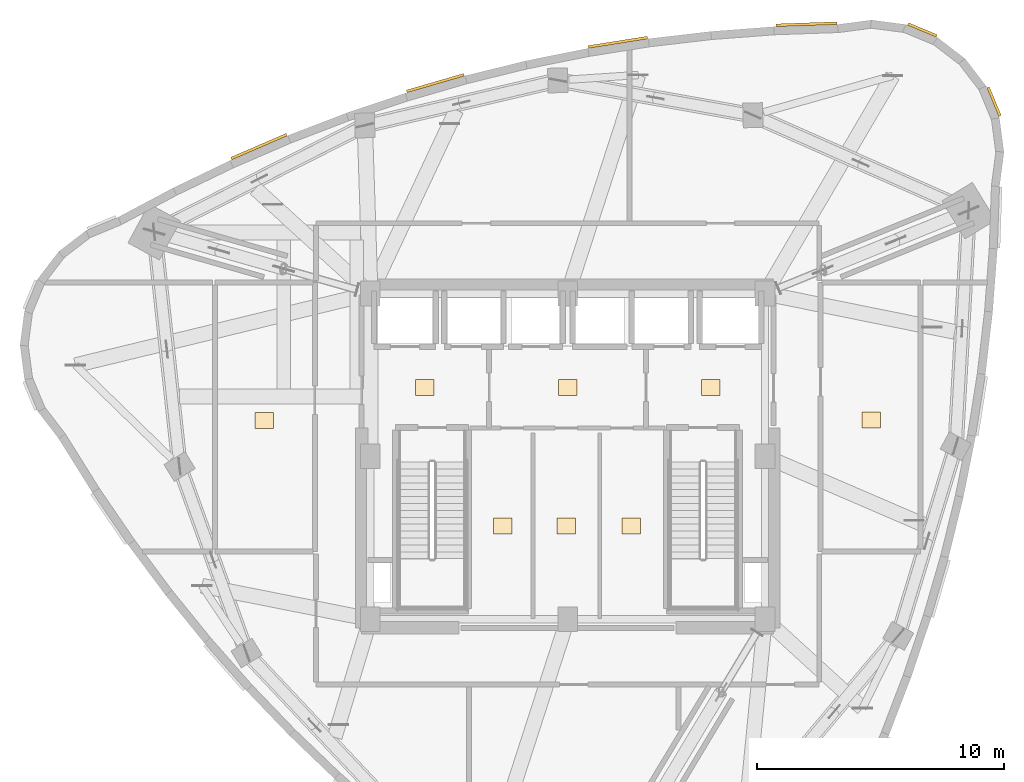
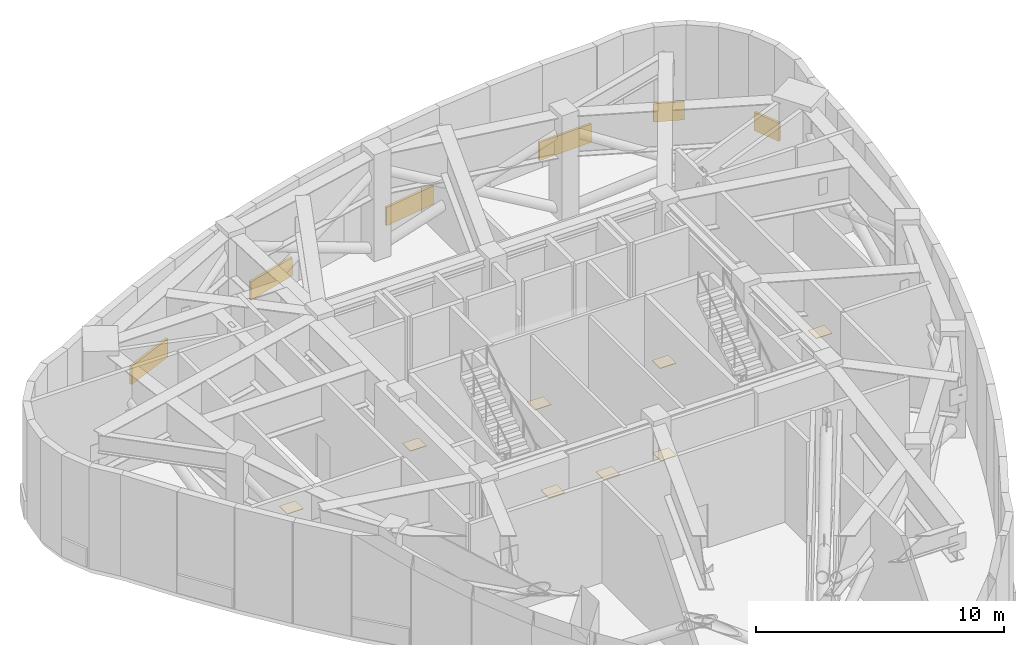
# One storey, part 10 of 10: 14 coverings.
"""IFC4 building model written with IfcOpenShell, lengths in metres."""

from ifc_helpers import new_model, si_unit, direction, frame, origin, origin_2d, place, context, subcontext, project, spatial, rectangle, extrude, material, layer, layer_set, type_object, element, save


model = new_model("IFC4")

# Units and contexts
model_context = context("Model", 3, precision=1e-05, world=origin(), true_north=direction((0.0, 1.0)))
body_context = subcontext(model_context, "Body", "Model", "MODEL_VIEW")
ifc_project = project(units=[si_unit("LENGTHUNIT", "METRE"), si_unit("AREAUNIT", "SQUARE_METRE"), si_unit("VOLUMEUNIT", "CUBIC_METRE"), si_unit("PLANEANGLEUNIT", "RADIAN"), si_unit("MASSUNIT", "GRAM", prefix="KILO")], contexts=[model_context])

# Site, building, storey
site_placement = place(None, origin())
site = spatial("IfcSite", under=ifc_project, at=site_placement, CompositionType="ELEMENT")
building_placement = place(site_placement, origin())
building = spatial("IfcBuilding", under=site, at=building_placement, Name="Ndelora Gate Hotel", CompositionType="ELEMENT")
storey_placement = place(building_placement, frame((0.0, 0.0, 254.949951171875)))
storey = spatial("IfcBuildingStorey", under=building, at=storey_placement, Name="L64", CompositionType="ELEMENT", Elevation=254.949951171875)

# Coverings
ifc_material_1 = material(Name="Terracotta Fired Clay Brick Slip Cladding", Category="masonry")
ifc_layer_1 = layer(ifc_material_1, 0.110107421875)
ifc_layer_set_1 = layer_set([ifc_layer_1], Name="Terracotta Fired Clay Brick Slip Cladding")
covering_type_1 = type_object("IfcCoveringType", Name="COV-CLAD-BRK", PredefinedType="CLADDING", material=ifc_layer_set_1)
for number, where, z_axis, x_axis, name in (
    (1, (17.288818359375, 14.380126953125, 0.10009765625), (0.0, 0.0, 1.0), (-0.382683432365, 0.923879532511, 0.0), "L64 Rounded-Corner Brick Cladding Band 43"),
    (2, (14.380126953125, 17.288818359375, 0.10009765625), (0.0, 0.0, 1.0), (-0.923879532511, 0.382683432365, 0.0), "L64 Rounded-Corner Brick Cladding Band 46"),
):
    element("IfcCovering", number, at=place(storey_placement, frame(where, z_axis=z_axis, x_axis=x_axis)), inside=storey, type_object=covering_type_1, Name=name, PredefinedType="CLADDING", context=body_context, shape_type="SweptSolid", body=[
        extrude(rectangle(XDim=1.258056640625, YDim=0.110107421875, at=origin_2d()), origin(), (0.0, 0.0, 1.0), 0.89990234375),
    ])
covering_1_placement = place(storey_placement, frame((9.68017578125, 17.519775390625, 0.10009765625), z_axis=(0.0, 0.0, 1.0), x_axis=(0.999390827019, 0.034899496703, 0.0)))
element("IfcCovering", 3, at=covering_1_placement, inside=storey, type_object=covering_type_1, Name="L64 Rounded-Corner Brick Cladding Band 49", PredefinedType="CLADDING", context=body_context, shape_type="SweptSolid", body=[
    extrude(rectangle(XDim=2.48193359375, YDim=0.110107421875, at=origin_2d()), origin(), (0.0, 0.0, 1.0), 0.89990234375),
])
covering_2_placement = place(storey_placement, frame((2.0361328125, 16.787353515625, 0.10009765625), z_axis=(0.0, 0.0, 1.0), x_axis=(0.987661022587, 0.156606846792, 0.0)))
element("IfcCovering", 4, at=covering_2_placement, inside=storey, type_object=covering_type_1, Name="L64 Rounded-Corner Brick Cladding Band 52", PredefinedType="CLADDING", context=body_context, shape_type="SweptSolid", body=[
    extrude(rectangle(XDim=2.428955078125, YDim=0.110107421875, at=origin_2d()), origin(), (0.0, 0.0, 1.0), 0.89990234375),
])
covering_3_placement = place(storey_placement, frame((-5.362060546875, 15.134033203125, 0.10009765625), z_axis=(0.0, 0.0, 1.0), x_axis=(0.960293685677, 0.278991106039, 0.0)))
element("IfcCovering", 5, at=covering_3_placement, inside=storey, type_object=covering_type_1, Name="L64 Rounded-Corner Brick Cladding Band 55", PredefinedType="CLADDING", context=body_context, shape_type="SweptSolid", body=[
    extrude(rectangle(XDim=2.416015625, YDim=0.110107421875, at=origin_2d()), origin(), (0.0, 0.0, 1.0), 0.89990234375),
])
covering_4_placement = place(storey_placement, frame((-12.51318359375, 12.559814453125, 0.10009765625), z_axis=(0.0, 0.0, 1.0), x_axis=(0.918031663543, 0.396507080307, 0.0)))
element("IfcCovering", 6, at=covering_4_placement, inside=storey, type_object=covering_type_1, Name="L64 Rounded-Corner Brick Cladding Band 58", PredefinedType="CLADDING", context=body_context, shape_type="SweptSolid", body=[
    extrude(rectangle(XDim=2.443115234375, YDim=0.110107421875, at=origin_2d()), origin(), (0.0, 0.0, 1.0), 0.89990234375),
])
ifc_material_2 = material(Name="Non-Slip Porcelain Wet-Room Tile", Category="ceramic")
ifc_layer_2 = layer(ifc_material_2, 0.02490234375)
ifc_layer_set_2 = layer_set([ifc_layer_2], Name="Non-Slip Porcelain Wet-Room Tile")
covering_type_2 = type_object("IfcCoveringType", Name="COV-FLR-TILE", PredefinedType="FLOORING", material=ifc_layer_set_2)
for number, where, z_axis, x_axis, name in (
    (7, (-5.800048828125, 2.800048828125, 0.0), (0.0, 0.0, 1.0), (1.0, 0.0, 0.0), "L64 Firefighting Lift Lobby West Porcelain Tile Flooring"),
    (8, (5.800048828125, 2.800048828125, 0.0), (0.0, 0.0, 1.0), (1.0, 0.0, 0.0), "L64 Firefighting Lift Lobby East Porcelain Tile Flooring"),
    (9, (0.0, 2.800048828125, 0.0), (0.0, 0.0, 1.0), (1.0, 0.0, 0.0), "L64 Central Passenger Lift Lobby Porcelain Tile Flooring"),
    (10, (-2.625, -2.824951171875, 0.0), (0.0, 0.0, 1.0), (1.0, 0.0, 0.0), "L64 Core Cleaners Store Porcelain Tile Flooring"),
    (11, (-0.050048828125, -2.824951171875, 0.0), (0.0, 0.0, 1.0), (1.0, 0.0, 0.0), "L64 Core Telecoms Equipment Room Porcelain Tile Flooring"),
    (12, (2.574951171875, -2.824951171875, 0.0), (0.0, 0.0, 1.0), (1.0, 0.0, 0.0), "L64 Core Electrical Metering Room Porcelain Tile Flooring"),
    (13, (-12.300048828125, 1.45556640625, 0.0), (0.0, 0.0, 1.0), (1.0, 0.0, 0.0), "L64 Designated Area of Refuge West Porcelain Tile Flooring"),
    (14, (12.300048828125, 1.48291015625, 0.0), (0.0, 0.0, 1.0), (1.0, 0.0, 0.0), "L64 Designated Area of Refuge East Porcelain Tile Flooring"),
):
    element("IfcCovering", number, at=place(storey_placement, frame(where, z_axis=z_axis, x_axis=x_axis)), inside=storey, type_object=covering_type_2, Name=name, PredefinedType="FLOORING", context=body_context, shape_type="SweptSolid", body=[
        extrude(rectangle(XDim=0.75, YDim=0.64990234375, at=origin_2d()), origin(), (0.0, 0.0, 1.0), 0.02490234375),
    ])

save(model, "model.ifc")
